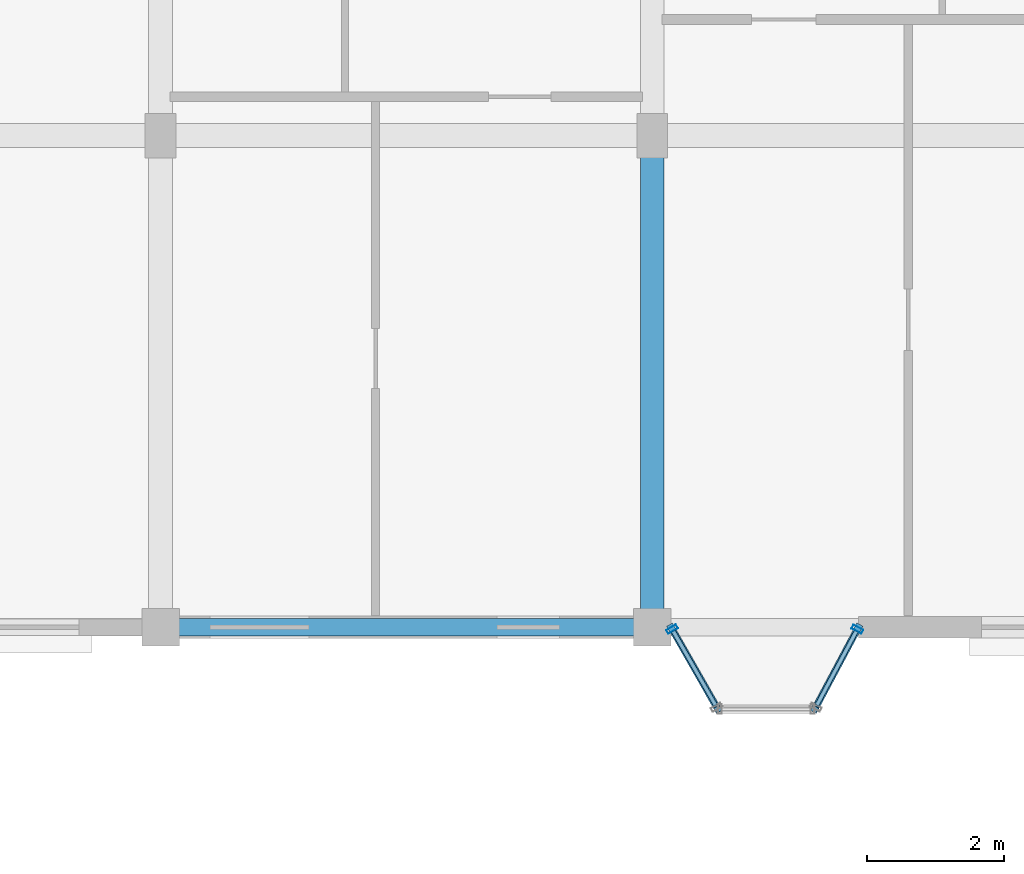
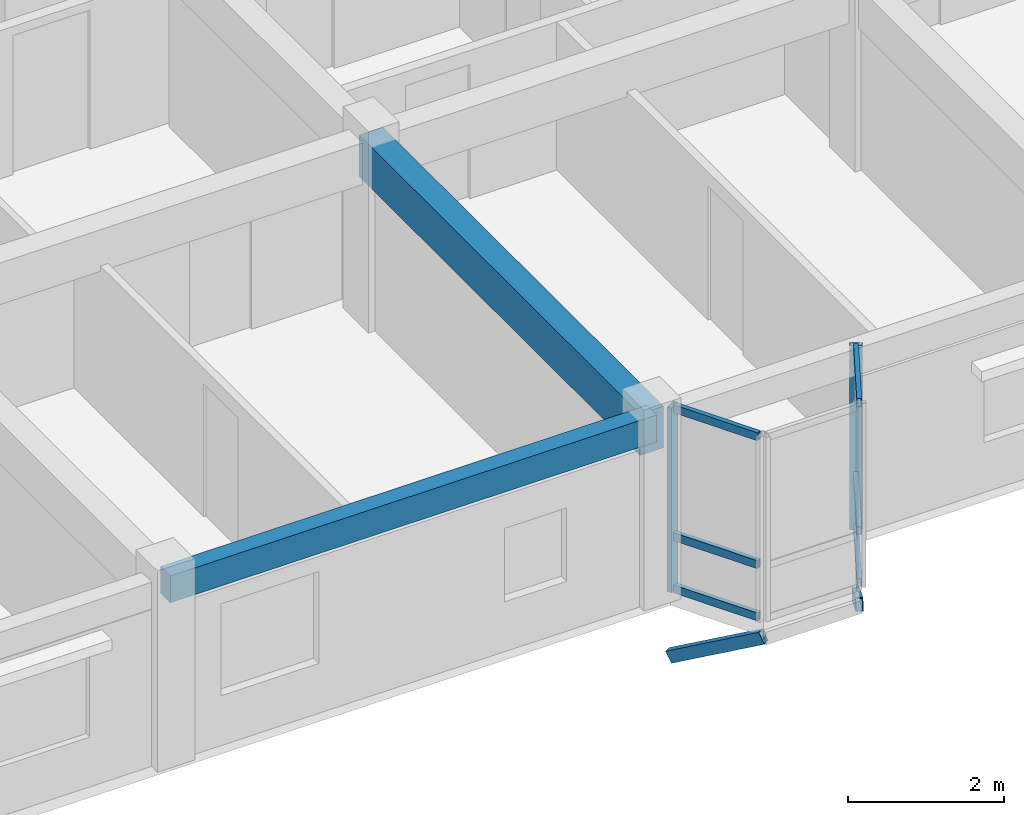
# One storey, part 40 of 77: 10 members, 2 beams, 2 elements without a shape of their own.
"""IFC4 building model written with IfcOpenShell, lengths in metres."""

from ifc_helpers import new_model, si_unit, direction, frame, origin, origin_2d, place, context, subcontext, project, spatial, rectangle, hollow_rectangle, extrude, material, layer, layer_set, material_profile, profile_set, type_object, element, aggregate, save


model = new_model("IFC4")

# Units and contexts
model_context = context("Model", 3, precision=1e-05, world=origin(), true_north=direction((0.0, 1.0)))
body_context = subcontext(model_context, "Body", "Model", "MODEL_VIEW")
ifc_project = project(units=[si_unit("LENGTHUNIT", "METRE"), si_unit("AREAUNIT", "SQUARE_METRE"), si_unit("VOLUMEUNIT", "CUBIC_METRE"), si_unit("PLANEANGLEUNIT", "RADIAN"), si_unit("MASSUNIT", "GRAM", prefix="KILO"), si_unit("THERMODYNAMICTEMPERATUREUNIT", "KELVIN"), si_unit("POWERUNIT", "WATT")], contexts=[model_context])

# Site, building, storey
site_placement = place(None, origin())
site = spatial("IfcSite", under=ifc_project, at=site_placement, CompositionType="ELEMENT")
building_placement = place(site_placement, origin())
building = spatial("IfcBuilding", under=site, at=building_placement, Name="Tavuni Mirador Residences", CompositionType="ELEMENT")
storey_placement = place(building_placement, frame((0.0, 0.0, 10.800048828125)))
storey = spatial("IfcBuildingStorey", under=building, at=storey_placement, Name="L03", CompositionType="ELEMENT", Elevation=10.800048828125)

# Beams
ifc_material_1 = material(Name="Precast concrete C40/50", Category="concrete")
ifc_material_profile_1 = material_profile(ifc_material_1, rectangle(XDim=0.35009765625, YDim=0.64990234375, at=origin_2d()), Name="PC 350x650", Category="concrete")
ifc_profile_set_1 = profile_set([ifc_material_profile_1], Name="Precast concrete C40/50")
beam_type_1 = type_object("IfcBeamType", Name="BT-B650", PredefinedType="BEAM", material=ifc_profile_set_1)
beam_1_placement = place(storey_placement, frame((46.800048828125, 144.0, 2.56005859375), z_axis=(0.0, 1.0, 0.0), x_axis=(-1.0, 0.0, 0.0)))
element("IfcBeam", 1, at=beam_1_placement, inside=storey, type_object=beam_type_1, Name="BMY-BLK-C-L03-05-00", PredefinedType="BEAM", context=body_context, shape_type="SweptSolid", body=[
    extrude(rectangle(XDim=0.35009765625, YDim=0.64990234375, at=origin_2d()), origin(), (0.0, 0.0, 1.0), 7.199951171875),
])
ifc_material_profile_2 = material_profile(ifc_material_1, rectangle(XDim=0.25, YDim=0.419921875, at=origin_2d()), Name="PC 250x420", Category="concrete")
ifc_profile_set_2 = profile_set([ifc_material_profile_2], Name="Precast concrete C40/50")
beam_type_2 = type_object("IfcBeamType", Name="BT-SP420", PredefinedType="SPANDREL", material=ifc_profile_set_2)
beam_2_placement = place(storey_placement, frame((39.60009765625, 144.0, 2.675048828125), z_axis=(1.0, 0.0, 0.0), x_axis=(0.0, 1.0, 0.0)))
element("IfcBeam", 2, at=beam_2_placement, inside=storey, type_object=beam_type_2, Name="BMX-BLK-C-L03-04-00", PredefinedType="SPANDREL", context=body_context, shape_type="SweptSolid", body=[
    extrude(rectangle(XDim=0.25, YDim=0.419921875, at=origin_2d()), origin(), (0.0, 0.0, 1.0), 7.199951171875),
])

# Curtain wall, member
ifc_material_2 = material(Name="Anodised aluminium", Category="aluminium")
ifc_layer_1 = layer(ifc_material_2, 0.14990234375, Name="Anodised aluminium", Category="aluminium")
ifc_layer_set_1 = layer_set([ifc_layer_1], Name="Anodised aluminium")
curtain_wall_type_1 = type_object("IfcCurtainWallType", Name="CWT-MIR-B", PredefinedType="NOTDEFINED", material=ifc_layer_set_1)
curtain_wall_1_placement = place(storey_placement, origin())
curtain_wall_1 = element("IfcCurtainWall", 3, at=curtain_wall_1_placement, inside=storey, type_object=curtain_wall_type_1, Name="CW-MIR-C-S3-L03-M1", PredefinedType="NOTDEFINED")
ifc_material_profile_3 = material_profile(ifc_material_2, hollow_rectangle(XDim=0.06494140625, YDim=0.1650390625, WallThickness=0.00439453125, at=origin_2d()), Name="ALU 65x165x4.5", Category="aluminium")
ifc_profile_set_3 = profile_set([ifc_material_profile_3], Name="Anodised aluminium")
member_type_1 = type_object("IfcMemberType", Name="CWM-165", PredefinedType="MULLION", material=ifc_profile_set_3)
member_1_placement = place(storey_placement, frame((47.091064453125, 143.9716796875, 0.0), z_axis=(0.0, 0.0, 1.0), x_axis=(0.495749192217, -0.868465738194, 0.0)))
member_1 = element("IfcMember", 4, at=member_1_placement, type_object=member_type_1, Name="CW-02 mullion 1", PredefinedType="MULLION", context=body_context, shape_type="SweptSolid", body=[
    extrude(hollow_rectangle(XDim=0.06494140625, YDim=0.1650390625, WallThickness=0.00439453125, at=origin_2d()), origin(), (0.0, 0.0, 1.0), 2.885009765625),
])

ifc_layer_2 = layer(ifc_material_2, 0.159912109375, Name="Anodised aluminium", Category="aluminium")
ifc_layer_set_2 = layer_set([ifc_layer_2], Name="Anodised aluminium")
curtain_wall_type_2 = type_object("IfcCurtainWallType", Name="CWT-MIR-D", PredefinedType="NOTDEFINED", material=ifc_layer_set_2)
curtain_wall_2_placement = place(storey_placement, origin())
curtain_wall_2 = element("IfcCurtainWall", 5, at=curtain_wall_2_placement, inside=storey, type_object=curtain_wall_type_2, Name="CW-MIR-C-S3-L03-M2", PredefinedType="NOTDEFINED")
member_2_placement = place(storey_placement, frame((49.8046875, 143.971435546875, 0.0), z_axis=(0.0, 0.0, 1.0), x_axis=(0.470588235296, 0.882352941175, 0.0)))
member_2 = element("IfcMember", 6, at=member_2_placement, type_object=member_type_1, Name="CW-04 mullion 2", PredefinedType="MULLION", context=body_context, shape_type="SweptSolid", body=[
    extrude(hollow_rectangle(XDim=0.06494140625, YDim=0.1650390625, WallThickness=0.00439453125, at=origin_2d()), origin(), (0.0, 0.0, 1.0), 2.885009765625),
])

# Member
ifc_material_profile_4 = material_profile(ifc_material_2, hollow_rectangle(XDim=0.06494140625, YDim=0.125, WallThickness=0.00439453125, at=origin_2d()), Name="ALU 65x125x4.5", Category="aluminium")
ifc_profile_set_4 = profile_set([ifc_material_profile_4], Name="Anodised aluminium")
member_type_2 = type_object("IfcMemberType", Name="CWT-125", PredefinedType="USERDEFINED", material=ifc_profile_set_4)
member_3_placement = place(storey_placement, frame((47.107177734375, 143.943603515625, 0.032470703125), z_axis=(0.495760837306, -0.868459090685, 0.0), x_axis=(0.868459090685, 0.495760837306, 0.0)))
member_3 = element("IfcMember", 7, at=member_3_placement, type_object=member_type_2, Name="CW-02 transom 1.1", ObjectType="TRANSOM", PredefinedType="USERDEFINED", context=body_context, shape_type="SweptSolid", body=[
    extrude(hollow_rectangle(XDim=0.06494140625, YDim=0.125, WallThickness=0.00439453125, at=origin_2d()), origin(), (0.0, 0.0, 1.0), 1.251708984375),
])

member_4_placement = place(storey_placement, frame((47.107177734375, 143.943603515625, 0.849853515625), z_axis=(0.495760837306, -0.868459090685, 0.0), x_axis=(0.868459090685, 0.495760837306, 0.0)))
member_4 = element("IfcMember", 8, at=member_4_placement, type_object=member_type_2, Name="CW-02 transom 1.2", ObjectType="TRANSOM", PredefinedType="USERDEFINED", context=body_context, shape_type="SweptSolid", body=[
    extrude(hollow_rectangle(XDim=0.06494140625, YDim=0.125, WallThickness=0.00439453125, at=origin_2d()), origin(), (0.0, 0.0, 1.0), 1.251708984375),
])

member_5_placement = place(storey_placement, frame((47.107177734375, 143.943603515625, 2.8525390625), z_axis=(0.495760837306, -0.868459090685, 0.0), x_axis=(0.868459090685, 0.495760837306, 0.0)))
member_5 = element("IfcMember", 9, at=member_5_placement, type_object=member_type_2, Name="CW-02 transom 1.3", ObjectType="TRANSOM", PredefinedType="USERDEFINED", context=body_context, shape_type="SweptSolid", body=[
    extrude(hollow_rectangle(XDim=0.06494140625, YDim=0.125, WallThickness=0.00439453125, at=origin_2d()), origin(), (0.0, 0.0, 1.0), 1.251708984375),
])

aggregate(curtain_wall_1, [member_1, member_3, member_4, member_5])

member_6_placement = place(storey_placement, frame((49.210693359375, 142.857421875, 0.032470703125), z_axis=(0.470485195601, 0.882407887952, 0.0), x_axis=(-0.882407887952, 0.470485195601, 0.0)))
member_6 = element("IfcMember", 10, at=member_6_placement, type_object=member_type_2, Name="CW-04 transom 1.1", ObjectType="TRANSOM", PredefinedType="USERDEFINED", context=body_context, shape_type="SweptSolid", body=[
    extrude(hollow_rectangle(XDim=0.06494140625, YDim=0.125, WallThickness=0.00439453125, at=origin_2d()), origin(), (0.0, 0.0, 1.0), 1.229736328125),
])

member_7_placement = place(storey_placement, frame((49.210693359375, 142.857421875, 0.849853515625), z_axis=(0.470485195601, 0.882407887952, 0.0), x_axis=(-0.882407887952, 0.470485195601, 0.0)))
member_7 = element("IfcMember", 11, at=member_7_placement, type_object=member_type_2, Name="CW-04 transom 1.2", ObjectType="TRANSOM", PredefinedType="USERDEFINED", context=body_context, shape_type="SweptSolid", body=[
    extrude(hollow_rectangle(XDim=0.06494140625, YDim=0.125, WallThickness=0.00439453125, at=origin_2d()), origin(), (0.0, 0.0, 1.0), 1.229736328125),
])

member_8_placement = place(storey_placement, frame((49.210693359375, 142.857421875, 2.8525390625), z_axis=(0.470485195601, 0.882407887952, 0.0), x_axis=(-0.882407887952, 0.470485195601, 0.0)))
member_8 = element("IfcMember", 12, at=member_8_placement, type_object=member_type_2, Name="CW-04 transom 1.3", ObjectType="TRANSOM", PredefinedType="USERDEFINED", context=body_context, shape_type="SweptSolid", body=[
    extrude(hollow_rectangle(XDim=0.06494140625, YDim=0.125, WallThickness=0.00439453125, at=origin_2d()), origin(), (0.0, 0.0, 1.0), 1.229736328125),
])

aggregate(curtain_wall_2, [member_2, member_6, member_7, member_8])

# Members
ifc_material_3 = material(Name="Structural steel S355", Category="steel")
ifc_material_profile_5 = material_profile(ifc_material_3, hollow_rectangle(XDim=0.10009765625, YDim=0.179931640625, WallThickness=0.008056640625, at=origin_2d()), Name="RHS 180x100x8.0", Category="steel")
ifc_profile_set_5 = profile_set([ifc_material_profile_5], Name="Structural steel S355")
member_type_3 = type_object("IfcMemberType", Name="MT-BR-RHS180", PredefinedType="BRACE", material=ifc_profile_set_5)
member_9_placement = place(storey_placement, frame((47.074951171875, 144.0, -1.050048828125), z_axis=(0.431095380922, -0.755108267011, 0.493931450344), x_axis=(0.868438794398, 0.495796390047, 0.0)))
element("IfcMember", 13, at=member_9_placement, inside=storey, type_object=member_type_3, Name="MBRK-MIR-C-S3-L03-1", PredefinedType="BRACE", context=body_context, shape_type="SweptSolid", body=[
    extrude(hollow_rectangle(XDim=0.10009765625, YDim=0.179931640625, WallThickness=0.008056640625, at=origin_2d()), origin(), (0.0, 0.0, 1.0), 1.589111328125),
])
member_10_placement = place(storey_placement, frame((49.820068359375, 144.0, -1.050048828125), z_axis=(-0.407660536563, -0.76416915988, 0.499858361956), x_axis=(0.882303244255, -0.470681405175, 0.0)))
element("IfcMember", 14, at=member_10_placement, inside=storey, type_object=member_type_3, Name="MBRK-MIR-C-S3-L03-2", PredefinedType="BRACE", context=body_context, shape_type="SweptSolid", body=[
    extrude(hollow_rectangle(XDim=0.10009765625, YDim=0.179931640625, WallThickness=0.008056640625, at=origin_2d()), origin(), (0.0, 0.0, 1.0), 1.5703125),
])

save(model, "model.ifc")
